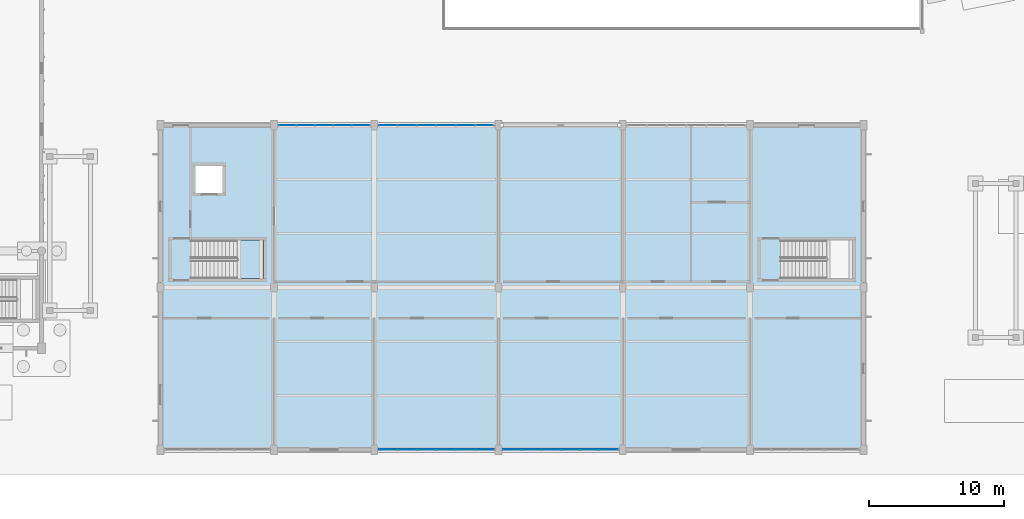
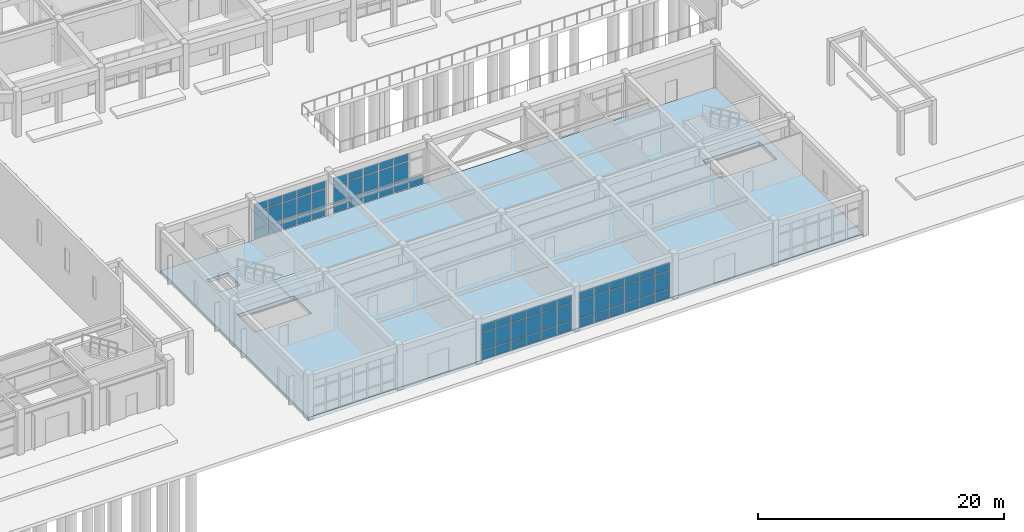
# One storey, part 102 of 154: 67 plates, 2 slabs, 5 elements without a shape of their own.
"""IFC4 building model written with IfcOpenShell, lengths in metres."""

import ifcopenshell
import ifcopenshell.guid

model = None  # the IFC model being written
_history = None  # IfcOwnerHistory: only IFC2X3 demands one
_inside = {}  # id of a spatial element -> (the spatial element, [elements in it])
_under = {}  # id of a project, library or spatial element -> (it, [spatial elements below it])
_declared = {}  # id of a project -> (the project, [libraries it declares])
_typed = {}  # id of a type object -> (the type object, [elements of that type])
_made_of = {}  # id of a material, layer set ... -> (it, [elements and type objects made of it])


def new_model(schema):
    """Start an empty IFC model of exactly this schema.

    Asked for "IFC4X3", IfcOpenShell would pick the latest addendum, in which some entities
    have other attributes; the version numbers below select the first issue.
    IFC2X3 requires an IfcOwnerHistory on every rooted entity: one is made here for all.
    """
    global model, _history
    if schema == "IFC4X3":
        model = ifcopenshell.file(schema_version=(4, 3, 0, 0))
    else:
        model = ifcopenshell.file(schema=schema)
    _inside.clear()
    _under.clear()
    _declared.clear()
    _typed.clear()
    _made_of.clear()
    _history = None
    if model.schema == "IFC2X3":
        org = make("IfcOrganization", Name="unknown")
        user = make(
            "IfcPersonAndOrganization",
            ThePerson=make("IfcPerson", FamilyName="unknown"),
            TheOrganization=org,
        )
        app = make(
            "IfcApplication",
            ApplicationDeveloper=org,
            Version="unknown",
            ApplicationFullName="unknown",
            ApplicationIdentifier="unknown",
        )
        _history = make(
            "IfcOwnerHistory",
            OwningUser=user,
            OwningApplication=app,
            ChangeAction="ADDED",
            CreationDate=0,
        )
    return model


def make(cls, **values):
    """One entity of the class cls with the attributes given. An attribute that is None is left unset."""
    return model.create_entity(
        cls, **{name: value for name, value in values.items() if value is not None}
    )


def rooted(cls, **values):
    """An entity with a GlobalId (a new one), such as an element, a storey or a relation."""
    return make(cls, GlobalId=ifcopenshell.guid.new(), OwnerHistory=_history, **values)


def si_unit(unit_type, name, prefix=None):
    """IfcSIUnit, for example si_unit("LENGTHUNIT", "METRE", prefix="MILLI")."""
    return make("IfcSIUnit", UnitType=unit_type, Prefix=prefix, Name=name)


def assignment(units):
    """IfcUnitAssignment: the units of a project."""
    return None if units is None else make("IfcUnitAssignment", Units=units)


def point(xyz):
    """IfcCartesianPoint."""
    return None if xyz is None else make("IfcCartesianPoint", Coordinates=xyz)


def direction(xyz):
    """IfcDirection."""
    return None if xyz is None else make("IfcDirection", DirectionRatios=xyz)


def frame(location, z_axis=None, x_axis=None):
    """IfcAxis2Placement3D, a coordinate frame: its origin and axes. An axis left out is left unset."""
    return make(
        "IfcAxis2Placement3D",
        Location=point(location),
        Axis=direction(z_axis),
        RefDirection=direction(x_axis),
    )


def frame_2d(location, x_axis=None):
    """IfcAxis2Placement2D, a coordinate frame in the plane: its origin and x axis."""
    return make(
        "IfcAxis2Placement2D", Location=point(location), RefDirection=direction(x_axis)
    )


def origin():
    """The frame at (0, 0, 0) with its axes left unset."""
    return frame((0.0, 0.0, 0.0))


def origin_2d():
    """The frame at (0, 0) in the plane with its x axis left unset."""
    return frame_2d((0.0, 0.0))


def place(relative_to, where):
    """IfcLocalPlacement: puts the frame where relative to a parent placement (None: the world)."""
    return make(
        "IfcLocalPlacement", PlacementRelTo=relative_to, RelativePlacement=where
    )


def context(
    kind, dimensions, precision=None, world=None, true_north=None, identifier=None
):
    """IfcGeometricRepresentationContext, for example the 3D "Model" context."""
    return make(
        "IfcGeometricRepresentationContext",
        ContextIdentifier=identifier,
        ContextType=kind,
        CoordinateSpaceDimension=dimensions,
        Precision=precision,
        WorldCoordinateSystem=world,
        TrueNorth=true_north,
    )


def subcontext(parent, identifier, kind, view, scale=None):
    """IfcGeometricRepresentationSubContext, for example "Body" below "Model"."""
    return make(
        "IfcGeometricRepresentationSubContext",
        ContextIdentifier=identifier,
        ContextType=kind,
        ParentContext=parent,
        TargetScale=scale,
        TargetView=view,
    )


def project(units=None, contexts=None):
    """IfcProject with its units and contexts."""
    return rooted(
        "IfcProject",
        Name="project",
        RepresentationContexts=contexts,
        UnitsInContext=assignment(units),
    )


def spatial(cls, under=None, at=None, **own):
    """A site, building, storey or space (cls), placed at a placement, below another one or the project."""
    s = rooted(cls, ObjectPlacement=at, **own)
    if under is not None:
        _under.setdefault(under.id(), (under, []))[1].append(s)
    return s


def polyline(points):
    """IfcPolyline through the points."""
    return make("IfcPolyline", Points=[point(p) for p in points])


def profile(cls, at=None, kind="AREA", **sizes):
    """A parametric profile (cls). Its sizes go by their IFC names, for example OverallWidth=200.0."""
    return make(cls, ProfileType=kind, Position=at, **sizes)


def rectangle(**sizes):
    """IfcRectangleProfileDef."""
    return profile("IfcRectangleProfileDef", **sizes)


def outline(outer, holes=None, kind="AREA"):
    """IfcArbitraryClosedProfileDef: a profile drawn as a closed curve; with holes, ...WithVoids."""
    if holes is None:
        return make("IfcArbitraryClosedProfileDef", ProfileType=kind, OuterCurve=outer)
    return make(
        "IfcArbitraryProfileDefWithVoids",
        ProfileType=kind,
        OuterCurve=outer,
        InnerCurves=holes,
    )


def extrude(swept, where, along, depth):
    """IfcExtrudedAreaSolid: the profile swept, set in the frame where, extruded along a direction by depth."""
    return make(
        "IfcExtrudedAreaSolid",
        SweptArea=swept,
        Position=where,
        ExtrudedDirection=direction(along),
        Depth=depth,
    )


def shape(context_of_items, identifier, shape_type, items):
    """IfcShapeRepresentation: the items that make up one representation, for example the "Body"."""
    return make(
        "IfcShapeRepresentation",
        ContextOfItems=context_of_items,
        RepresentationIdentifier=identifier,
        RepresentationType=shape_type,
        Items=items,
    )


def material(Name=None, Category=None):
    """IfcMaterial."""
    return make("IfcMaterial", Name=Name, Category=Category)


def layer(
    of_material, thickness, ventilated=None, Name=None, Category=None, Priority=None
):
    """IfcMaterialLayer: one layer of a wall or slab, of a material (None: an air gap)."""
    return make(
        "IfcMaterialLayer",
        Material=of_material,
        LayerThickness=thickness,
        IsVentilated=ventilated,
        Name=Name,
        Category=Category,
        Priority=Priority,
    )


def layer_set(layers, Name=None):
    """IfcMaterialLayerSet."""
    return make("IfcMaterialLayerSet", MaterialLayers=layers, LayerSetName=Name)


def made_of(thing, what):
    """Note that an element or type object is made of a material, layer set ...; save() writes the relation."""
    if what is not None:
        _made_of.setdefault(what.id(), (what, []))[1].append(thing)
    return thing


def type_object(cls, material=None, **own):
    """A type object (cls), such as IfcWallType, which elements share."""
    return made_of(rooted(cls, **own), material)


def element(
    cls,
    number,
    at=None,
    inside=None,
    cuts=None,
    type_object=None,
    material=None,
    context=None,
    identifier="Body",
    shape_type=None,
    held_by="IfcProductDefinitionShape",
    body=None,
    shapes=None,
    **own,
):
    """One element of the class cls, such as IfcWall. Its Tag is "e" and its number.

    at: its placement. inside: the storey or other place that contains it. cuts: it is an
    opening in that element (IfcRelVoidsElement). A single representation is given by context,
    identifier, shape_type and body (its items); several are given by shapes. held_by: the class
    of the entity that holds the representations. save() writes the other relations.
    """
    e = rooted(cls, Tag="e%d" % number, ObjectPlacement=at, **own)
    if body is not None:
        shapes = [shape(context, identifier, shape_type, body)]
    if shapes is not None:
        e.Representation = make(held_by, Representations=shapes)
    if inside is not None:
        _inside.setdefault(inside.id(), (inside, []))[1].append(e)
    if cuts is not None:
        rooted(
            "IfcRelVoidsElement", RelatingBuildingElement=cuts, RelatedOpeningElement=e
        )
    if type_object is not None:
        _typed.setdefault(type_object.id(), (type_object, []))[1].append(e)
    return made_of(e, material)


def aggregate(whole, parts):
    """IfcRelAggregates: a whole, such as a stair, and the parts it consists of."""
    return rooted("IfcRelAggregates", RelatingObject=whole, RelatedObjects=parts)


def save(model, path):
    """Write the relations noted so far, then the file.

    IfcRelAggregates (storeys below a building ...), IfcRelContainedInSpatialStructure (elements
    in a storey), IfcRelDefinesByType, IfcRelAssociatesMaterial and IfcRelDeclares: one each for
    every whole, place, type object, material and project.
    """
    for whole, parts in _under.values():
        aggregate(whole, parts)
    for where, things in _inside.values():
        rooted(
            "IfcRelContainedInSpatialStructure",
            RelatedElements=things,
            RelatingStructure=where,
        )
    for kind, things in _typed.values():
        rooted("IfcRelDefinesByType", RelatedObjects=things, RelatingType=kind)
    for what, things in _made_of.values():
        rooted("IfcRelAssociatesMaterial", RelatedObjects=things, RelatingMaterial=what)
    for by, libraries in _declared.values():
        rooted("IfcRelDeclares", RelatingContext=by, RelatedDefinitions=libraries)
    model.write(path)


model = new_model("IFC4")

# Units and contexts
model_context = context("Model", 3, precision=1e-05, world=origin(), true_north=direction((0.0, 1.0)))
body_context = subcontext(model_context, "Body", "Model", "MODEL_VIEW")
ifc_project = project(units=[si_unit("LENGTHUNIT", "METRE"), si_unit("AREAUNIT", "SQUARE_METRE"), si_unit("VOLUMEUNIT", "CUBIC_METRE"), si_unit("PLANEANGLEUNIT", "RADIAN"), si_unit("MASSUNIT", "GRAM", prefix="KILO")], contexts=[model_context])

# Site, building, storey
site_placement = place(None, origin())
site = spatial("IfcSite", under=ifc_project, at=site_placement, CompositionType="ELEMENT")
building_placement = place(site_placement, origin())
building = spatial("IfcBuilding", under=site, at=building_placement, Name="Kestramere Prow Commons", CompositionType="ELEMENT")
storey_placement = place(building_placement, origin())
storey = spatial("IfcBuildingStorey", under=building, at=storey_placement, Name="L00", CompositionType="ELEMENT", Elevation=0.0)

# Curtain wall, plates
ifc_material_1 = material(Name="Anodised Aluminium and Low-E Glass", Category="aluminium")
curtain_wall_type_1 = type_object("IfcCurtainWallType", Name="CW-20 Glazed Curtain Wall 6800x3590", PredefinedType="USERDEFINED", material=ifc_material_1)
curtain_wall_1_placement = place(storey_placement, origin())
curtain_wall_1 = element("IfcCurtainWall", 1, at=curtain_wall_1_placement, inside=storey, type_object=curtain_wall_type_1, Name="Market L00 Courtyard Shopfront 2", ObjectType="GLAZED CURTAIN WALL", PredefinedType="USERDEFINED")
ifc_material_2 = material(Name="Low-E Laminated Double Glazing", Category="glass")
ifc_layer_1 = layer(ifc_material_2, 0.028076171875)
ifc_layer_set_1 = layer_set([ifc_layer_1], Name="Low-E Laminated Double Glazing")
plate_type = type_object("IfcPlateType", Name="CW-PNL-28", PredefinedType="CURTAIN_PANEL", material=ifc_layer_set_1)
plate_1_placement = place(storey_placement, frame((69.396240234375, 24.0, 0.06494140625), z_axis=(0.0, 0.0, 1.0), x_axis=(1.0, 0.0, 0.0)))
plate_1 = element("IfcPlate", 2, at=plate_1_placement, type_object=plate_type, Name="CW-20 panel 1.1", PredefinedType="CURTAIN_PANEL", context=body_context, shape_type="SweptSolid", body=[
    extrude(rectangle(XDim=1.262451171875, YDim=0.028076171875, at=origin_2d()), origin(), (0.0, 0.0, 1.0), 0.8525390625),
])
plate_2_placement = place(storey_placement, frame((69.396240234375, 24.0, 0.982421875), z_axis=(0.0, 0.0, 1.0), x_axis=(1.0, 0.0, 0.0)))
plate_2 = element("IfcPlate", 3, at=plate_2_placement, type_object=plate_type, Name="CW-20 panel 1.2", PredefinedType="CURTAIN_PANEL", context=body_context, shape_type="SweptSolid", body=[
    extrude(rectangle(XDim=1.262451171875, YDim=0.028076171875, at=origin_2d()), origin(), (0.0, 0.0, 1.0), 1.72509765625),
])
plate_3_placement = place(storey_placement, frame((69.396240234375, 24.0, 2.7724609375), z_axis=(0.0, 0.0, 1.0), x_axis=(1.0, 0.0, 0.0)))
plate_3 = element("IfcPlate", 4, at=plate_3_placement, type_object=plate_type, Name="CW-20 panel 1.3", PredefinedType="CURTAIN_PANEL", context=body_context, shape_type="SweptSolid", body=[
    extrude(rectangle(XDim=1.262451171875, YDim=0.028076171875, at=origin_2d()), origin(), (0.0, 0.0, 1.0), 0.75244140625),
])
plate_4_placement = place(storey_placement, frame((70.739990234375, 24.0, 0.06494140625), z_axis=(0.0, 0.0, 1.0), x_axis=(1.0, 0.0, 0.0)))
plate_4 = element("IfcPlate", 5, at=plate_4_placement, type_object=plate_type, Name="CW-20 panel 2.1", PredefinedType="CURTAIN_PANEL", context=body_context, shape_type="SweptSolid", body=[
    extrude(rectangle(XDim=1.294921875, YDim=0.028076171875, at=origin_2d()), origin(), (0.0, 0.0, 1.0), 0.8525390625),
])
plate_5_placement = place(storey_placement, frame((70.739990234375, 24.0, 0.982421875), z_axis=(0.0, 0.0, 1.0), x_axis=(1.0, 0.0, 0.0)))
plate_5 = element("IfcPlate", 6, at=plate_5_placement, type_object=plate_type, Name="CW-20 panel 2.2", PredefinedType="CURTAIN_PANEL", context=body_context, shape_type="SweptSolid", body=[
    extrude(rectangle(XDim=1.294921875, YDim=0.028076171875, at=origin_2d()), origin(), (0.0, 0.0, 1.0), 1.72509765625),
])
plate_6_placement = place(storey_placement, frame((70.739990234375, 24.0, 2.7724609375), z_axis=(0.0, 0.0, 1.0), x_axis=(1.0, 0.0, 0.0)))
plate_6 = element("IfcPlate", 7, at=plate_6_placement, type_object=plate_type, Name="CW-20 panel 2.3", PredefinedType="CURTAIN_PANEL", context=body_context, shape_type="SweptSolid", body=[
    extrude(rectangle(XDim=1.294921875, YDim=0.028076171875, at=origin_2d()), origin(), (0.0, 0.0, 1.0), 0.75244140625),
])
plate_7_placement = place(storey_placement, frame((72.10009765625, 24.0, 0.06494140625), z_axis=(0.0, 0.0, 1.0), x_axis=(1.0, 0.0, 0.0)))
plate_7 = element("IfcPlate", 8, at=plate_7_placement, type_object=plate_type, Name="CW-20 panel 3.1", PredefinedType="CURTAIN_PANEL", context=body_context, shape_type="SweptSolid", body=[
    extrude(rectangle(XDim=1.294921875, YDim=0.028076171875, at=origin_2d()), origin(), (0.0, 0.0, 1.0), 0.8525390625),
])
plate_8_placement = place(storey_placement, frame((72.10009765625, 24.0, 0.982421875), z_axis=(0.0, 0.0, 1.0), x_axis=(1.0, 0.0, 0.0)))
plate_8 = element("IfcPlate", 9, at=plate_8_placement, type_object=plate_type, Name="CW-20 panel 3.2", PredefinedType="CURTAIN_PANEL", context=body_context, shape_type="SweptSolid", body=[
    extrude(rectangle(XDim=1.294921875, YDim=0.028076171875, at=origin_2d()), origin(), (0.0, 0.0, 1.0), 1.72509765625),
])
plate_9_placement = place(storey_placement, frame((72.10009765625, 24.0, 2.7724609375), z_axis=(0.0, 0.0, 1.0), x_axis=(1.0, 0.0, 0.0)))
plate_9 = element("IfcPlate", 10, at=plate_9_placement, type_object=plate_type, Name="CW-20 panel 3.3", PredefinedType="CURTAIN_PANEL", context=body_context, shape_type="SweptSolid", body=[
    extrude(rectangle(XDim=1.294921875, YDim=0.028076171875, at=origin_2d()), origin(), (0.0, 0.0, 1.0), 0.75244140625),
])
plate_10_placement = place(storey_placement, frame((73.4599609375, 24.0, 0.06494140625), z_axis=(0.0, 0.0, 1.0), x_axis=(1.0, 0.0, 0.0)))
plate_10 = element("IfcPlate", 11, at=plate_10_placement, type_object=plate_type, Name="CW-20 panel 4.1", PredefinedType="CURTAIN_PANEL", context=body_context, shape_type="SweptSolid", body=[
    extrude(rectangle(XDim=1.294921875, YDim=0.028076171875, at=origin_2d()), origin(), (0.0, 0.0, 1.0), 0.8525390625),
])
plate_11_placement = place(storey_placement, frame((73.4599609375, 24.0, 0.982421875), z_axis=(0.0, 0.0, 1.0), x_axis=(1.0, 0.0, 0.0)))
plate_11 = element("IfcPlate", 12, at=plate_11_placement, type_object=plate_type, Name="CW-20 panel 4.2", PredefinedType="CURTAIN_PANEL", context=body_context, shape_type="SweptSolid", body=[
    extrude(rectangle(XDim=1.294921875, YDim=0.028076171875, at=origin_2d()), origin(), (0.0, 0.0, 1.0), 1.72509765625),
])
plate_12_placement = place(storey_placement, frame((73.4599609375, 24.0, 2.7724609375), z_axis=(0.0, 0.0, 1.0), x_axis=(1.0, 0.0, 0.0)))
plate_12 = element("IfcPlate", 13, at=plate_12_placement, type_object=plate_type, Name="CW-20 panel 4.3", PredefinedType="CURTAIN_PANEL", context=body_context, shape_type="SweptSolid", body=[
    extrude(rectangle(XDim=1.294921875, YDim=0.028076171875, at=origin_2d()), origin(), (0.0, 0.0, 1.0), 0.75244140625),
])
plate_13_placement = place(storey_placement, frame((74.8037109375, 24.0, 0.06494140625), z_axis=(0.0, 0.0, 1.0), x_axis=(1.0, 0.0, 0.0)))
plate_13 = element("IfcPlate", 14, at=plate_13_placement, type_object=plate_type, Name="CW-20 panel 5.1", PredefinedType="CURTAIN_PANEL", context=body_context, shape_type="SweptSolid", body=[
    extrude(rectangle(XDim=1.262451171875, YDim=0.028076171875, at=origin_2d()), origin(), (0.0, 0.0, 1.0), 0.8525390625),
])
plate_14_placement = place(storey_placement, frame((74.8037109375, 24.0, 0.982421875), z_axis=(0.0, 0.0, 1.0), x_axis=(1.0, 0.0, 0.0)))
plate_14 = element("IfcPlate", 15, at=plate_14_placement, type_object=plate_type, Name="CW-20 panel 5.2", PredefinedType="CURTAIN_PANEL", context=body_context, shape_type="SweptSolid", body=[
    extrude(rectangle(XDim=1.262451171875, YDim=0.028076171875, at=origin_2d()), origin(), (0.0, 0.0, 1.0), 1.72509765625),
])
plate_15_placement = place(storey_placement, frame((74.8037109375, 24.0, 2.7724609375), z_axis=(0.0, 0.0, 1.0), x_axis=(1.0, 0.0, 0.0)))
plate_15 = element("IfcPlate", 16, at=plate_15_placement, type_object=plate_type, Name="CW-20 panel 5.3", PredefinedType="CURTAIN_PANEL", context=body_context, shape_type="SweptSolid", body=[
    extrude(rectangle(XDim=1.262451171875, YDim=0.028076171875, at=origin_2d()), origin(), (0.0, 0.0, 1.0), 0.75244140625),
])
aggregate(curtain_wall_1, [plate_1, plate_2, plate_3, plate_4, plate_5, plate_6, plate_7, plate_8, plate_9, plate_10, plate_11, plate_12, plate_13, plate_14, plate_15])

curtain_wall_type_2 = type_object("IfcCurtainWallType", Name="CW-21 Glazed Curtain Wall 8600x3590", PredefinedType="USERDEFINED", material=ifc_material_1)
curtain_wall_2_placement = place(storey_placement, origin())
curtain_wall_2 = element("IfcCurtainWall", 17, at=curtain_wall_2_placement, inside=storey, type_object=curtain_wall_type_2, Name="Market L00 South Shopfront 3", ObjectType="GLAZED CURTAIN WALL", PredefinedType="USERDEFINED")
plate_16_placement = place(storey_placement, frame((83.967041015625, 0.0, 0.06494140625), z_axis=(0.0, 0.0, 1.0), x_axis=(-1.0, 0.0, 0.0)))
plate_16 = element("IfcPlate", 18, at=plate_16_placement, type_object=plate_type, Name="CW-21 panel 1.1", PredefinedType="CURTAIN_PANEL", context=body_context, shape_type="SweptSolid", body=[
    extrude(rectangle(XDim=1.3359375, YDim=0.028076171875, at=origin_2d()), origin(), (0.0, 0.0, 1.0), 0.8525390625),
])
plate_17_placement = place(storey_placement, frame((83.967041015625, 0.0, 0.982421875), z_axis=(0.0, 0.0, 1.0), x_axis=(-1.0, 0.0, 0.0)))
plate_17 = element("IfcPlate", 19, at=plate_17_placement, type_object=plate_type, Name="CW-21 panel 1.2", PredefinedType="CURTAIN_PANEL", context=body_context, shape_type="SweptSolid", body=[
    extrude(rectangle(XDim=1.3359375, YDim=0.028076171875, at=origin_2d()), origin(), (0.0, 0.0, 1.0), 1.72509765625),
])
plate_18_placement = place(storey_placement, frame((83.967041015625, 0.0, 2.7724609375), z_axis=(0.0, 0.0, 1.0), x_axis=(-1.0, 0.0, 0.0)))
plate_18 = element("IfcPlate", 20, at=plate_18_placement, type_object=plate_type, Name="CW-21 panel 1.3", PredefinedType="CURTAIN_PANEL", context=body_context, shape_type="SweptSolid", body=[
    extrude(rectangle(XDim=1.3359375, YDim=0.028076171875, at=origin_2d()), origin(), (0.0, 0.0, 1.0), 0.75244140625),
])
plate_19_placement = place(storey_placement, frame((82.550048828125, 0.0, 0.06494140625), z_axis=(0.0, 0.0, 1.0), x_axis=(-1.0, 0.0, 0.0)))
plate_19 = element("IfcPlate", 21, at=plate_19_placement, type_object=plate_type, Name="CW-21 panel 2.1", PredefinedType="CURTAIN_PANEL", context=body_context, shape_type="SweptSolid", body=[
    extrude(rectangle(XDim=1.368408203125, YDim=0.028076171875, at=origin_2d()), origin(), (0.0, 0.0, 1.0), 0.8525390625),
])
plate_20_placement = place(storey_placement, frame((82.550048828125, 0.0, 0.982421875), z_axis=(0.0, 0.0, 1.0), x_axis=(-1.0, 0.0, 0.0)))
plate_20 = element("IfcPlate", 22, at=plate_20_placement, type_object=plate_type, Name="CW-21 panel 2.2", PredefinedType="CURTAIN_PANEL", context=body_context, shape_type="SweptSolid", body=[
    extrude(rectangle(XDim=1.368408203125, YDim=0.028076171875, at=origin_2d()), origin(), (0.0, 0.0, 1.0), 1.72509765625),
])
plate_21_placement = place(storey_placement, frame((82.550048828125, 0.0, 2.7724609375), z_axis=(0.0, 0.0, 1.0), x_axis=(-1.0, 0.0, 0.0)))
plate_21 = element("IfcPlate", 23, at=plate_21_placement, type_object=plate_type, Name="CW-21 panel 2.3", PredefinedType="CURTAIN_PANEL", context=body_context, shape_type="SweptSolid", body=[
    extrude(rectangle(XDim=1.368408203125, YDim=0.028076171875, at=origin_2d()), origin(), (0.0, 0.0, 1.0), 0.75244140625),
])
plate_22_placement = place(storey_placement, frame((81.11669921875, 0.0, 0.06494140625), z_axis=(0.0, 0.0, 1.0), x_axis=(-1.0, 0.0, 0.0)))
plate_22 = element("IfcPlate", 24, at=plate_22_placement, type_object=plate_type, Name="CW-21 panel 3.1", PredefinedType="CURTAIN_PANEL", context=body_context, shape_type="SweptSolid", body=[
    extrude(rectangle(XDim=1.368408203125, YDim=0.028076171875, at=origin_2d()), origin(), (0.0, 0.0, 1.0), 0.8525390625),
])
plate_23_placement = place(storey_placement, frame((81.11669921875, 0.0, 0.982421875), z_axis=(0.0, 0.0, 1.0), x_axis=(-1.0, 0.0, 0.0)))
plate_23 = element("IfcPlate", 25, at=plate_23_placement, type_object=plate_type, Name="CW-21 panel 3.2", PredefinedType="CURTAIN_PANEL", context=body_context, shape_type="SweptSolid", body=[
    extrude(rectangle(XDim=1.368408203125, YDim=0.028076171875, at=origin_2d()), origin(), (0.0, 0.0, 1.0), 1.72509765625),
])
plate_24_placement = place(storey_placement, frame((81.11669921875, 0.0, 2.7724609375), z_axis=(0.0, 0.0, 1.0), x_axis=(-1.0, 0.0, 0.0)))
plate_24 = element("IfcPlate", 26, at=plate_24_placement, type_object=plate_type, Name="CW-21 panel 3.3", PredefinedType="CURTAIN_PANEL", context=body_context, shape_type="SweptSolid", body=[
    extrude(rectangle(XDim=1.368408203125, YDim=0.028076171875, at=origin_2d()), origin(), (0.0, 0.0, 1.0), 0.75244140625),
])
plate_25_placement = place(storey_placement, frame((79.683349609375, 0.0, 0.06494140625), z_axis=(0.0, 0.0, 1.0), x_axis=(-1.0, 0.0, 0.0)))
plate_25 = element("IfcPlate", 27, at=plate_25_placement, type_object=plate_type, Name="CW-21 panel 4.1", PredefinedType="CURTAIN_PANEL", context=body_context, shape_type="SweptSolid", body=[
    extrude(rectangle(XDim=1.368408203125, YDim=0.028076171875, at=origin_2d()), origin(), (0.0, 0.0, 1.0), 0.8525390625),
])
plate_26_placement = place(storey_placement, frame((79.683349609375, 0.0, 0.982421875), z_axis=(0.0, 0.0, 1.0), x_axis=(-1.0, 0.0, 0.0)))
plate_26 = element("IfcPlate", 28, at=plate_26_placement, type_object=plate_type, Name="CW-21 panel 4.2", PredefinedType="CURTAIN_PANEL", context=body_context, shape_type="SweptSolid", body=[
    extrude(rectangle(XDim=1.368408203125, YDim=0.028076171875, at=origin_2d()), origin(), (0.0, 0.0, 1.0), 1.72509765625),
])
plate_27_placement = place(storey_placement, frame((79.683349609375, 0.0, 2.7724609375), z_axis=(0.0, 0.0, 1.0), x_axis=(-1.0, 0.0, 0.0)))
plate_27 = element("IfcPlate", 29, at=plate_27_placement, type_object=plate_type, Name="CW-21 panel 4.3", PredefinedType="CURTAIN_PANEL", context=body_context, shape_type="SweptSolid", body=[
    extrude(rectangle(XDim=1.368408203125, YDim=0.028076171875, at=origin_2d()), origin(), (0.0, 0.0, 1.0), 0.75244140625),
])
plate_28_placement = place(storey_placement, frame((78.25, 0.0, 0.06494140625), z_axis=(0.0, 0.0, 1.0), x_axis=(-1.0, 0.0, 0.0)))
plate_28 = element("IfcPlate", 30, at=plate_28_placement, type_object=plate_type, Name="CW-21 panel 5.1", PredefinedType="CURTAIN_PANEL", context=body_context, shape_type="SweptSolid", body=[
    extrude(rectangle(XDim=1.368408203125, YDim=0.028076171875, at=origin_2d()), origin(), (0.0, 0.0, 1.0), 0.8525390625),
])
plate_29_placement = place(storey_placement, frame((78.25, 0.0, 0.982421875), z_axis=(0.0, 0.0, 1.0), x_axis=(-1.0, 0.0, 0.0)))
plate_29 = element("IfcPlate", 31, at=plate_29_placement, type_object=plate_type, Name="CW-21 panel 5.2", PredefinedType="CURTAIN_PANEL", context=body_context, shape_type="SweptSolid", body=[
    extrude(rectangle(XDim=1.368408203125, YDim=0.028076171875, at=origin_2d()), origin(), (0.0, 0.0, 1.0), 1.72509765625),
])
plate_30_placement = place(storey_placement, frame((78.25, 0.0, 2.7724609375), z_axis=(0.0, 0.0, 1.0), x_axis=(-1.0, 0.0, 0.0)))
plate_30 = element("IfcPlate", 32, at=plate_30_placement, type_object=plate_type, Name="CW-21 panel 5.3", PredefinedType="CURTAIN_PANEL", context=body_context, shape_type="SweptSolid", body=[
    extrude(rectangle(XDim=1.368408203125, YDim=0.028076171875, at=origin_2d()), origin(), (0.0, 0.0, 1.0), 0.75244140625),
])
plate_31_placement = place(storey_placement, frame((76.8330078125, 0.0, 0.06494140625), z_axis=(0.0, 0.0, 1.0), x_axis=(-1.0, 0.0, 0.0)))
plate_31 = element("IfcPlate", 33, at=plate_31_placement, type_object=plate_type, Name="CW-21 panel 6.1", PredefinedType="CURTAIN_PANEL", context=body_context, shape_type="SweptSolid", body=[
    extrude(rectangle(XDim=1.3359375, YDim=0.028076171875, at=origin_2d()), origin(), (0.0, 0.0, 1.0), 0.8525390625),
])
plate_32_placement = place(storey_placement, frame((76.8330078125, 0.0, 0.982421875), z_axis=(0.0, 0.0, 1.0), x_axis=(-1.0, 0.0, 0.0)))
plate_32 = element("IfcPlate", 34, at=plate_32_placement, type_object=plate_type, Name="CW-21 panel 6.2", PredefinedType="CURTAIN_PANEL", context=body_context, shape_type="SweptSolid", body=[
    extrude(rectangle(XDim=1.3359375, YDim=0.028076171875, at=origin_2d()), origin(), (0.0, 0.0, 1.0), 1.72509765625),
])
plate_33_placement = place(storey_placement, frame((76.8330078125, 0.0, 2.7724609375), z_axis=(0.0, 0.0, 1.0), x_axis=(-1.0, 0.0, 0.0)))
plate_33 = element("IfcPlate", 35, at=plate_33_placement, type_object=plate_type, Name="CW-21 panel 6.3", PredefinedType="CURTAIN_PANEL", context=body_context, shape_type="SweptSolid", body=[
    extrude(rectangle(XDim=1.3359375, YDim=0.028076171875, at=origin_2d()), origin(), (0.0, 0.0, 1.0), 0.75244140625),
])
aggregate(curtain_wall_2, [plate_16, plate_17, plate_18, plate_19, plate_20, plate_21, plate_22, plate_23, plate_24, plate_25, plate_26, plate_27, plate_28, plate_29, plate_30, plate_31, plate_32, plate_33])

curtain_wall_3_placement = place(storey_placement, origin())
curtain_wall_3 = element("IfcCurtainWall", 36, at=curtain_wall_3_placement, inside=storey, type_object=curtain_wall_type_2, Name="Market L00 Courtyard Shopfront 3", ObjectType="GLAZED CURTAIN WALL", PredefinedType="USERDEFINED")
plate_34_placement = place(storey_placement, frame((76.8330078125, 24.0, 0.06494140625), z_axis=(0.0, 0.0, 1.0), x_axis=(1.0, 0.0, 0.0)))
plate_34 = element("IfcPlate", 37, at=plate_34_placement, type_object=plate_type, Name="CW-21 panel 1.1", PredefinedType="CURTAIN_PANEL", context=body_context, shape_type="SweptSolid", body=[
    extrude(rectangle(XDim=1.3359375, YDim=0.028076171875, at=origin_2d()), origin(), (0.0, 0.0, 1.0), 0.8525390625),
])
plate_35_placement = place(storey_placement, frame((76.8330078125, 24.0, 0.982421875), z_axis=(0.0, 0.0, 1.0), x_axis=(1.0, 0.0, 0.0)))
plate_35 = element("IfcPlate", 38, at=plate_35_placement, type_object=plate_type, Name="CW-21 panel 1.2", PredefinedType="CURTAIN_PANEL", context=body_context, shape_type="SweptSolid", body=[
    extrude(rectangle(XDim=1.3359375, YDim=0.028076171875, at=origin_2d()), origin(), (0.0, 0.0, 1.0), 1.72509765625),
])
plate_36_placement = place(storey_placement, frame((76.8330078125, 24.0, 2.7724609375), z_axis=(0.0, 0.0, 1.0), x_axis=(1.0, 0.0, 0.0)))
plate_36 = element("IfcPlate", 39, at=plate_36_placement, type_object=plate_type, Name="CW-21 panel 1.3", PredefinedType="CURTAIN_PANEL", context=body_context, shape_type="SweptSolid", body=[
    extrude(rectangle(XDim=1.3359375, YDim=0.028076171875, at=origin_2d()), origin(), (0.0, 0.0, 1.0), 0.75244140625),
])
plate_37_placement = place(storey_placement, frame((78.25, 24.0, 0.06494140625), z_axis=(0.0, 0.0, 1.0), x_axis=(1.0, 0.0, 0.0)))
plate_37 = element("IfcPlate", 40, at=plate_37_placement, type_object=plate_type, Name="CW-21 panel 2.1", PredefinedType="CURTAIN_PANEL", context=body_context, shape_type="SweptSolid", body=[
    extrude(rectangle(XDim=1.368408203125, YDim=0.028076171875, at=origin_2d()), origin(), (0.0, 0.0, 1.0), 0.8525390625),
])
plate_38_placement = place(storey_placement, frame((78.25, 24.0, 0.982421875), z_axis=(0.0, 0.0, 1.0), x_axis=(1.0, 0.0, 0.0)))
plate_38 = element("IfcPlate", 41, at=plate_38_placement, type_object=plate_type, Name="CW-21 panel 2.2", PredefinedType="CURTAIN_PANEL", context=body_context, shape_type="SweptSolid", body=[
    extrude(rectangle(XDim=1.368408203125, YDim=0.028076171875, at=origin_2d()), origin(), (0.0, 0.0, 1.0), 1.72509765625),
])
plate_39_placement = place(storey_placement, frame((78.25, 24.0, 2.7724609375), z_axis=(0.0, 0.0, 1.0), x_axis=(1.0, 0.0, 0.0)))
plate_39 = element("IfcPlate", 42, at=plate_39_placement, type_object=plate_type, Name="CW-21 panel 2.3", PredefinedType="CURTAIN_PANEL", context=body_context, shape_type="SweptSolid", body=[
    extrude(rectangle(XDim=1.368408203125, YDim=0.028076171875, at=origin_2d()), origin(), (0.0, 0.0, 1.0), 0.75244140625),
])
plate_40_placement = place(storey_placement, frame((79.683349609375, 24.0, 0.06494140625), z_axis=(0.0, 0.0, 1.0), x_axis=(1.0, 0.0, 0.0)))
plate_40 = element("IfcPlate", 43, at=plate_40_placement, type_object=plate_type, Name="CW-21 panel 3.1", PredefinedType="CURTAIN_PANEL", context=body_context, shape_type="SweptSolid", body=[
    extrude(rectangle(XDim=1.368408203125, YDim=0.028076171875, at=origin_2d()), origin(), (0.0, 0.0, 1.0), 0.8525390625),
])
plate_41_placement = place(storey_placement, frame((79.683349609375, 24.0, 0.982421875), z_axis=(0.0, 0.0, 1.0), x_axis=(1.0, 0.0, 0.0)))
plate_41 = element("IfcPlate", 44, at=plate_41_placement, type_object=plate_type, Name="CW-21 panel 3.2", PredefinedType="CURTAIN_PANEL", context=body_context, shape_type="SweptSolid", body=[
    extrude(rectangle(XDim=1.368408203125, YDim=0.028076171875, at=origin_2d()), origin(), (0.0, 0.0, 1.0), 1.72509765625),
])
plate_42_placement = place(storey_placement, frame((79.683349609375, 24.0, 2.7724609375), z_axis=(0.0, 0.0, 1.0), x_axis=(1.0, 0.0, 0.0)))
plate_42 = element("IfcPlate", 45, at=plate_42_placement, type_object=plate_type, Name="CW-21 panel 3.3", PredefinedType="CURTAIN_PANEL", context=body_context, shape_type="SweptSolid", body=[
    extrude(rectangle(XDim=1.368408203125, YDim=0.028076171875, at=origin_2d()), origin(), (0.0, 0.0, 1.0), 0.75244140625),
])
plate_43_placement = place(storey_placement, frame((81.11669921875, 24.0, 0.06494140625), z_axis=(0.0, 0.0, 1.0), x_axis=(1.0, 0.0, 0.0)))
plate_43 = element("IfcPlate", 46, at=plate_43_placement, type_object=plate_type, Name="CW-21 panel 4.1", PredefinedType="CURTAIN_PANEL", context=body_context, shape_type="SweptSolid", body=[
    extrude(rectangle(XDim=1.368408203125, YDim=0.028076171875, at=origin_2d()), origin(), (0.0, 0.0, 1.0), 0.8525390625),
])
plate_44_placement = place(storey_placement, frame((81.11669921875, 24.0, 0.982421875), z_axis=(0.0, 0.0, 1.0), x_axis=(1.0, 0.0, 0.0)))
plate_44 = element("IfcPlate", 47, at=plate_44_placement, type_object=plate_type, Name="CW-21 panel 4.2", PredefinedType="CURTAIN_PANEL", context=body_context, shape_type="SweptSolid", body=[
    extrude(rectangle(XDim=1.368408203125, YDim=0.028076171875, at=origin_2d()), origin(), (0.0, 0.0, 1.0), 1.72509765625),
])
plate_45_placement = place(storey_placement, frame((81.11669921875, 24.0, 2.7724609375), z_axis=(0.0, 0.0, 1.0), x_axis=(1.0, 0.0, 0.0)))
plate_45 = element("IfcPlate", 48, at=plate_45_placement, type_object=plate_type, Name="CW-21 panel 4.3", PredefinedType="CURTAIN_PANEL", context=body_context, shape_type="SweptSolid", body=[
    extrude(rectangle(XDim=1.368408203125, YDim=0.028076171875, at=origin_2d()), origin(), (0.0, 0.0, 1.0), 0.75244140625),
])
plate_46_placement = place(storey_placement, frame((82.550048828125, 24.0, 0.06494140625), z_axis=(0.0, 0.0, 1.0), x_axis=(1.0, 0.0, 0.0)))
plate_46 = element("IfcPlate", 49, at=plate_46_placement, type_object=plate_type, Name="CW-21 panel 5.1", PredefinedType="CURTAIN_PANEL", context=body_context, shape_type="SweptSolid", body=[
    extrude(rectangle(XDim=1.368408203125, YDim=0.028076171875, at=origin_2d()), origin(), (0.0, 0.0, 1.0), 0.8525390625),
])
plate_47_placement = place(storey_placement, frame((82.550048828125, 24.0, 0.982421875), z_axis=(0.0, 0.0, 1.0), x_axis=(1.0, 0.0, 0.0)))
plate_47 = element("IfcPlate", 50, at=plate_47_placement, type_object=plate_type, Name="CW-21 panel 5.2", PredefinedType="CURTAIN_PANEL", context=body_context, shape_type="SweptSolid", body=[
    extrude(rectangle(XDim=1.368408203125, YDim=0.028076171875, at=origin_2d()), origin(), (0.0, 0.0, 1.0), 1.72509765625),
])
plate_48_placement = place(storey_placement, frame((82.550048828125, 24.0, 2.7724609375), z_axis=(0.0, 0.0, 1.0), x_axis=(1.0, 0.0, 0.0)))
plate_48 = element("IfcPlate", 51, at=plate_48_placement, type_object=plate_type, Name="CW-21 panel 5.3", PredefinedType="CURTAIN_PANEL", context=body_context, shape_type="SweptSolid", body=[
    extrude(rectangle(XDim=1.368408203125, YDim=0.028076171875, at=origin_2d()), origin(), (0.0, 0.0, 1.0), 0.75244140625),
])
plate_49_placement = place(storey_placement, frame((83.967041015625, 24.0, 0.06494140625), z_axis=(0.0, 0.0, 1.0), x_axis=(1.0, 0.0, 0.0)))
plate_49 = element("IfcPlate", 52, at=plate_49_placement, type_object=plate_type, Name="CW-21 panel 6.1", PredefinedType="CURTAIN_PANEL", context=body_context, shape_type="SweptSolid", body=[
    extrude(rectangle(XDim=1.3359375, YDim=0.028076171875, at=origin_2d()), origin(), (0.0, 0.0, 1.0), 0.8525390625),
])
aggregate(curtain_wall_3, [plate_34, plate_35, plate_36, plate_37, plate_38, plate_39, plate_40, plate_41, plate_42, plate_43, plate_44, plate_45, plate_46, plate_47, plate_48, plate_49])

curtain_wall_4_placement = place(storey_placement, origin())
curtain_wall_4 = element("IfcCurtainWall", 53, at=curtain_wall_4_placement, inside=storey, type_object=curtain_wall_type_2, Name="Market L00 South Shopfront 4", ObjectType="GLAZED CURTAIN WALL", PredefinedType="USERDEFINED")
plate_50_placement = place(storey_placement, frame((93.1669921875, 0.0, 0.06494140625), z_axis=(0.0, 0.0, 1.0), x_axis=(-1.0, 0.0, 0.0)))
plate_50 = element("IfcPlate", 54, at=plate_50_placement, type_object=plate_type, Name="CW-21 panel 1.1", PredefinedType="CURTAIN_PANEL", context=body_context, shape_type="SweptSolid", body=[
    extrude(rectangle(XDim=1.3359375, YDim=0.028076171875, at=origin_2d()), origin(), (0.0, 0.0, 1.0), 0.8525390625),
])
plate_51_placement = place(storey_placement, frame((93.1669921875, 0.0, 0.982421875), z_axis=(0.0, 0.0, 1.0), x_axis=(-1.0, 0.0, 0.0)))
plate_51 = element("IfcPlate", 55, at=plate_51_placement, type_object=plate_type, Name="CW-21 panel 1.2", PredefinedType="CURTAIN_PANEL", context=body_context, shape_type="SweptSolid", body=[
    extrude(rectangle(XDim=1.3359375, YDim=0.028076171875, at=origin_2d()), origin(), (0.0, 0.0, 1.0), 1.72509765625),
])
plate_52_placement = place(storey_placement, frame((93.1669921875, 0.0, 2.7724609375), z_axis=(0.0, 0.0, 1.0), x_axis=(-1.0, 0.0, 0.0)))
plate_52 = element("IfcPlate", 56, at=plate_52_placement, type_object=plate_type, Name="CW-21 panel 1.3", PredefinedType="CURTAIN_PANEL", context=body_context, shape_type="SweptSolid", body=[
    extrude(rectangle(XDim=1.3359375, YDim=0.028076171875, at=origin_2d()), origin(), (0.0, 0.0, 1.0), 0.75244140625),
])
plate_53_placement = place(storey_placement, frame((91.75, 0.0, 0.06494140625), z_axis=(0.0, 0.0, 1.0), x_axis=(-1.0, 0.0, 0.0)))
plate_53 = element("IfcPlate", 57, at=plate_53_placement, type_object=plate_type, Name="CW-21 panel 2.1", PredefinedType="CURTAIN_PANEL", context=body_context, shape_type="SweptSolid", body=[
    extrude(rectangle(XDim=1.368408203125, YDim=0.028076171875, at=origin_2d()), origin(), (0.0, 0.0, 1.0), 0.8525390625),
])
plate_54_placement = place(storey_placement, frame((91.75, 0.0, 0.982421875), z_axis=(0.0, 0.0, 1.0), x_axis=(-1.0, 0.0, 0.0)))
plate_54 = element("IfcPlate", 58, at=plate_54_placement, type_object=plate_type, Name="CW-21 panel 2.2", PredefinedType="CURTAIN_PANEL", context=body_context, shape_type="SweptSolid", body=[
    extrude(rectangle(XDim=1.368408203125, YDim=0.028076171875, at=origin_2d()), origin(), (0.0, 0.0, 1.0), 1.72509765625),
])
plate_55_placement = place(storey_placement, frame((91.75, 0.0, 2.7724609375), z_axis=(0.0, 0.0, 1.0), x_axis=(-1.0, 0.0, 0.0)))
plate_55 = element("IfcPlate", 59, at=plate_55_placement, type_object=plate_type, Name="CW-21 panel 2.3", PredefinedType="CURTAIN_PANEL", context=body_context, shape_type="SweptSolid", body=[
    extrude(rectangle(XDim=1.368408203125, YDim=0.028076171875, at=origin_2d()), origin(), (0.0, 0.0, 1.0), 0.75244140625),
])
plate_56_placement = place(storey_placement, frame((90.316650390625, 0.0, 0.06494140625), z_axis=(0.0, 0.0, 1.0), x_axis=(-1.0, 0.0, 0.0)))
plate_56 = element("IfcPlate", 60, at=plate_56_placement, type_object=plate_type, Name="CW-21 panel 3.1", PredefinedType="CURTAIN_PANEL", context=body_context, shape_type="SweptSolid", body=[
    extrude(rectangle(XDim=1.368408203125, YDim=0.028076171875, at=origin_2d()), origin(), (0.0, 0.0, 1.0), 0.8525390625),
])
plate_57_placement = place(storey_placement, frame((90.316650390625, 0.0, 0.982421875), z_axis=(0.0, 0.0, 1.0), x_axis=(-1.0, 0.0, 0.0)))
plate_57 = element("IfcPlate", 61, at=plate_57_placement, type_object=plate_type, Name="CW-21 panel 3.2", PredefinedType="CURTAIN_PANEL", context=body_context, shape_type="SweptSolid", body=[
    extrude(rectangle(XDim=1.368408203125, YDim=0.028076171875, at=origin_2d()), origin(), (0.0, 0.0, 1.0), 1.72509765625),
])
plate_58_placement = place(storey_placement, frame((90.316650390625, 0.0, 2.7724609375), z_axis=(0.0, 0.0, 1.0), x_axis=(-1.0, 0.0, 0.0)))
plate_58 = element("IfcPlate", 62, at=plate_58_placement, type_object=plate_type, Name="CW-21 panel 3.3", PredefinedType="CURTAIN_PANEL", context=body_context, shape_type="SweptSolid", body=[
    extrude(rectangle(XDim=1.368408203125, YDim=0.028076171875, at=origin_2d()), origin(), (0.0, 0.0, 1.0), 0.75244140625),
])
plate_59_placement = place(storey_placement, frame((88.88330078125, 0.0, 0.06494140625), z_axis=(0.0, 0.0, 1.0), x_axis=(-1.0, 0.0, 0.0)))
plate_59 = element("IfcPlate", 63, at=plate_59_placement, type_object=plate_type, Name="CW-21 panel 4.1", PredefinedType="CURTAIN_PANEL", context=body_context, shape_type="SweptSolid", body=[
    extrude(rectangle(XDim=1.368408203125, YDim=0.028076171875, at=origin_2d()), origin(), (0.0, 0.0, 1.0), 0.8525390625),
])
plate_60_placement = place(storey_placement, frame((88.88330078125, 0.0, 0.982421875), z_axis=(0.0, 0.0, 1.0), x_axis=(-1.0, 0.0, 0.0)))
plate_60 = element("IfcPlate", 64, at=plate_60_placement, type_object=plate_type, Name="CW-21 panel 4.2", PredefinedType="CURTAIN_PANEL", context=body_context, shape_type="SweptSolid", body=[
    extrude(rectangle(XDim=1.368408203125, YDim=0.028076171875, at=origin_2d()), origin(), (0.0, 0.0, 1.0), 1.72509765625),
])
plate_61_placement = place(storey_placement, frame((88.88330078125, 0.0, 2.7724609375), z_axis=(0.0, 0.0, 1.0), x_axis=(-1.0, 0.0, 0.0)))
plate_61 = element("IfcPlate", 65, at=plate_61_placement, type_object=plate_type, Name="CW-21 panel 4.3", PredefinedType="CURTAIN_PANEL", context=body_context, shape_type="SweptSolid", body=[
    extrude(rectangle(XDim=1.368408203125, YDim=0.028076171875, at=origin_2d()), origin(), (0.0, 0.0, 1.0), 0.75244140625),
])
plate_62_placement = place(storey_placement, frame((87.449951171875, 0.0, 0.06494140625), z_axis=(0.0, 0.0, 1.0), x_axis=(-1.0, 0.0, 0.0)))
plate_62 = element("IfcPlate", 66, at=plate_62_placement, type_object=plate_type, Name="CW-21 panel 5.1", PredefinedType="CURTAIN_PANEL", context=body_context, shape_type="SweptSolid", body=[
    extrude(rectangle(XDim=1.368408203125, YDim=0.028076171875, at=origin_2d()), origin(), (0.0, 0.0, 1.0), 0.8525390625),
])
plate_63_placement = place(storey_placement, frame((87.449951171875, 0.0, 0.982421875), z_axis=(0.0, 0.0, 1.0), x_axis=(-1.0, 0.0, 0.0)))
plate_63 = element("IfcPlate", 67, at=plate_63_placement, type_object=plate_type, Name="CW-21 panel 5.2", PredefinedType="CURTAIN_PANEL", context=body_context, shape_type="SweptSolid", body=[
    extrude(rectangle(XDim=1.368408203125, YDim=0.028076171875, at=origin_2d()), origin(), (0.0, 0.0, 1.0), 1.72509765625),
])
plate_64_placement = place(storey_placement, frame((87.449951171875, 0.0, 2.7724609375), z_axis=(0.0, 0.0, 1.0), x_axis=(-1.0, 0.0, 0.0)))
plate_64 = element("IfcPlate", 68, at=plate_64_placement, type_object=plate_type, Name="CW-21 panel 5.3", PredefinedType="CURTAIN_PANEL", context=body_context, shape_type="SweptSolid", body=[
    extrude(rectangle(XDim=1.368408203125, YDim=0.028076171875, at=origin_2d()), origin(), (0.0, 0.0, 1.0), 0.75244140625),
])
plate_65_placement = place(storey_placement, frame((86.032958984375, 0.0, 0.06494140625), z_axis=(0.0, 0.0, 1.0), x_axis=(-1.0, 0.0, 0.0)))
plate_65 = element("IfcPlate", 69, at=plate_65_placement, type_object=plate_type, Name="CW-21 panel 6.1", PredefinedType="CURTAIN_PANEL", context=body_context, shape_type="SweptSolid", body=[
    extrude(rectangle(XDim=1.3359375, YDim=0.028076171875, at=origin_2d()), origin(), (0.0, 0.0, 1.0), 0.8525390625),
])
plate_66_placement = place(storey_placement, frame((86.032958984375, 0.0, 0.982421875), z_axis=(0.0, 0.0, 1.0), x_axis=(-1.0, 0.0, 0.0)))
plate_66 = element("IfcPlate", 70, at=plate_66_placement, type_object=plate_type, Name="CW-21 panel 6.2", PredefinedType="CURTAIN_PANEL", context=body_context, shape_type="SweptSolid", body=[
    extrude(rectangle(XDim=1.3359375, YDim=0.028076171875, at=origin_2d()), origin(), (0.0, 0.0, 1.0), 1.72509765625),
])
plate_67_placement = place(storey_placement, frame((86.032958984375, 0.0, 2.7724609375), z_axis=(0.0, 0.0, 1.0), x_axis=(-1.0, 0.0, 0.0)))
plate_67 = element("IfcPlate", 71, at=plate_67_placement, type_object=plate_type, Name="CW-21 panel 6.3", PredefinedType="CURTAIN_PANEL", context=body_context, shape_type="SweptSolid", body=[
    extrude(rectangle(XDim=1.3359375, YDim=0.028076171875, at=origin_2d()), origin(), (0.0, 0.0, 1.0), 0.75244140625),
])
aggregate(curtain_wall_4, [plate_50, plate_51, plate_52, plate_53, plate_54, plate_55, plate_56, plate_57, plate_58, plate_59, plate_60, plate_61, plate_62, plate_63, plate_64, plate_65, plate_66, plate_67])

# Slab
ifc_material_3 = material(Name="Concrete C35/45", Category="concrete")
ifc_layer_2 = layer(ifc_material_3, 0.35009765625)
ifc_layer_set_2 = layer_set([ifc_layer_2], Name="Concrete C35/45")
slab_type_1 = type_object("IfcSlabType", Name="SL-BASE-350", PredefinedType="BASESLAB", material=ifc_layer_set_2)
slab_1_placement = place(storey_placement, frame((0.0, 0.0, -0.35009765625)))
element("IfcSlab", 72, at=slab_1_placement, inside=storey, type_object=slab_type_1, Name="Market Spine L00 Structural Slab", PredefinedType="BASESLAB", context=body_context, shape_type="SweptSolid", body=[
    extrude(outline(polyline([(60.0, 0.0), (112.0, 0.0), (112.0, 24.0), (60.0, 24.0), (60.0, 0.0)]), holes=[polyline([(62.60009765625, 19.0), (64.60009765625, 19.0), (64.60009765625, 21.0), (62.60009765625, 21.0), (62.60009765625, 19.0)]), polyline([(62.25, 12.64990234375), (67.60009765625, 12.64990234375), (67.60009765625, 15.5), (62.25, 15.5), (62.25, 12.64990234375)]), polyline([(105.85009765625, 12.64990234375), (111.199951171875, 12.64990234375), (111.199951171875, 15.5), (105.85009765625, 15.5), (105.85009765625, 12.64990234375)])]), origin(), (0.0, 0.0, 1.0), 0.35009765625),
])

# Stair, slab
ifc_material_4 = material(Name="Concrete C40/50", Category="concrete")
stair_type = type_object("IfcStairType", Name="ST-DOG-1350", PredefinedType="HALF_TURN_STAIR", material=ifc_material_4)
stair_placement = place(storey_placement, origin())
stair = element("IfcStair", 73, at=stair_placement, inside=storey, type_object=stair_type, Name="L00 Market and Car Park Exit Stair 1", PredefinedType="HALF_TURN_STAIR")
ifc_layer_3 = layer(ifc_material_4, 0.199951171875)
ifc_layer_set_3 = layer_set([ifc_layer_3], Name="Concrete C40/50")
slab_type_2 = type_object("IfcSlabType", Name="SL-ST-LAND-200", PredefinedType="LANDING", material=ifc_layer_set_3)
slab_2_placement = place(storey_placement, frame((0.0, 0.0, 2.050048828125)))
slab_2 = element("IfcSlab", 74, at=slab_2_placement, type_object=slab_type_2, Name="ST-M1 landing 1", PredefinedType="LANDING", context=body_context, shape_type="SweptSolid", body=[
    extrude(outline(polyline([(65.669921875, 12.64990234375), (67.60009765625, 12.64990234375), (67.60009765625, 15.5), (65.669921875, 15.5), (65.669921875, 12.64990234375)])), origin(), (0.0, 0.0, 1.0), 0.199951171875),
])
aggregate(stair, [slab_2])

save(model, "model.ifc")
